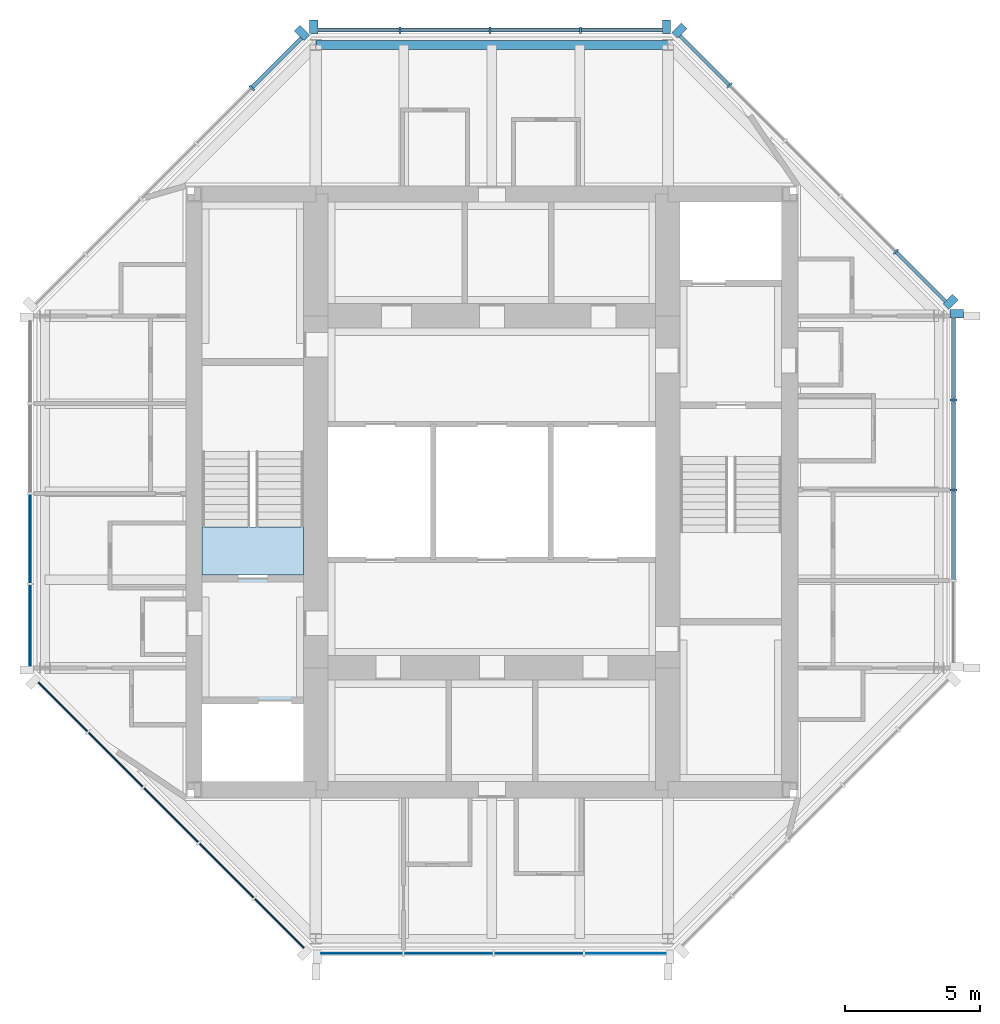
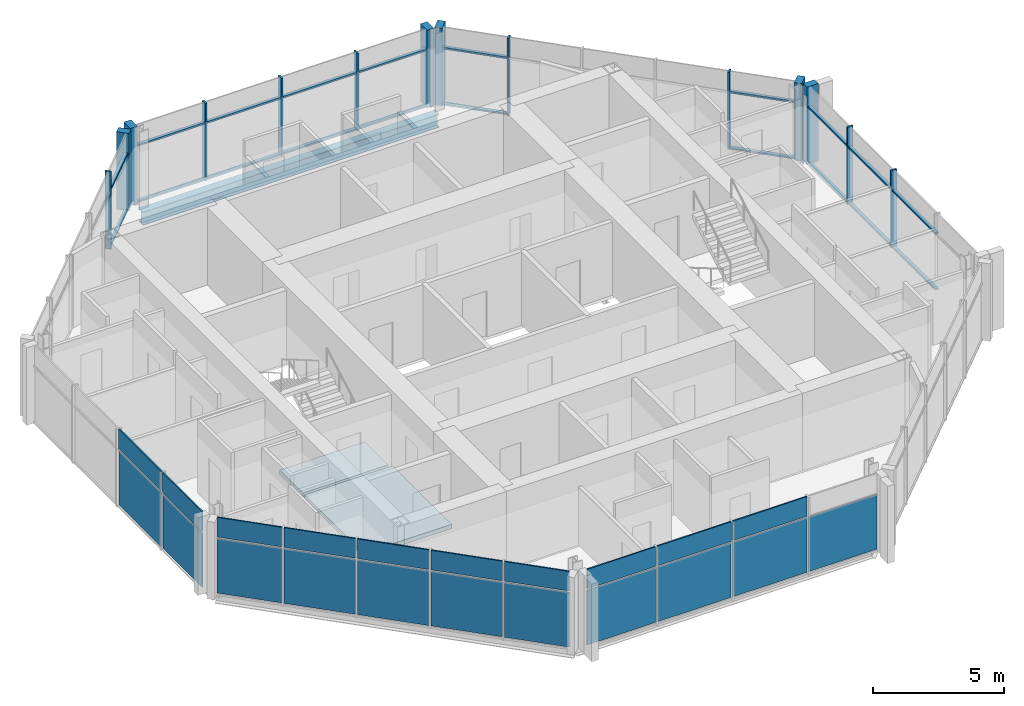
# One storey, part 3 of 9: 34 members, 21 plates, 2 slabs, 1 beam, 8 elements without a shape of their own.
"""IFC4 building model written with IfcOpenShell, lengths in metres."""

from ifc_helpers import new_model, si_unit, direction, frame, origin, origin_2d, place, context, subcontext, project, spatial, polyline, rectangle, i_section, outline, extrude, material, layer, layer_set, material_profile, profile_set, type_object, element, aggregate, save


model = new_model("IFC4")

# Units and contexts
model_context = context("Model", 3, precision=1e-05, world=origin(), true_north=direction((0.0, 1.0)))
body_context = subcontext(model_context, "Body", "Model", "MODEL_VIEW")
ifc_project = project(units=[si_unit("LENGTHUNIT", "METRE"), si_unit("AREAUNIT", "SQUARE_METRE"), si_unit("VOLUMEUNIT", "CUBIC_METRE"), si_unit("PLANEANGLEUNIT", "RADIAN"), si_unit("MASSUNIT", "GRAM", prefix="KILO")], contexts=[model_context])

# Site, building, storey
site_placement = place(None, origin())
site = spatial("IfcSite", under=ifc_project, at=site_placement, CompositionType="ELEMENT")
building_placement = place(site_placement, origin())
building = spatial("IfcBuilding", under=site, at=building_placement, Name="Trevanion Tower", CompositionType="ELEMENT")
storey_placement = place(building_placement, frame((0.0, 0.0, 292.0)))
storey = spatial("IfcBuildingStorey", under=building, at=storey_placement, Name="L72", CompositionType="ELEMENT", Elevation=292.0)

# Curtain wall, members
ifc_material_1 = material(Name="Aluminium and glass", Category="aluminium")
curtain_wall_type = type_object("IfcCurtainWallType", Name="CW4 curtain wall", PredefinedType="USERDEFINED", material=ifc_material_1)
curtain_wall_1_placement = place(storey_placement, origin())
curtain_wall_1 = element("IfcCurtainWall", 1, at=curtain_wall_1_placement, inside=storey, type_object=curtain_wall_type, Name="CW4 L72 0", ObjectType="UNITISED CURTAIN WALL", PredefinedType="USERDEFINED")
ifc_material_2 = material(Name="Aluminium extrusion, anodised bronze", Category="aluminium")
ifc_material_profile_1 = material_profile(ifc_material_2, rectangle(XDim=0.074951171875, YDim=0.25, at=origin_2d()), Name="CW4 mullion")
ifc_profile_set_1 = profile_set([ifc_material_profile_1], Name="Aluminium extrusion, anodised bronze")
member_type_1 = type_object("IfcMemberType", Name="CW4 mullion", PredefinedType="MULLION", material=ifc_profile_set_1)
member_1_placement = place(storey_placement, frame((17.050048828125, 0.06494140625, -0.18994140625), z_axis=(0.0, 0.0, 1.0), x_axis=(0.0, 1.0, 0.0)))
member_1 = element("IfcMember", 2, at=member_1_placement, type_object=member_type_1, Name="CW4 mullion 3", PredefinedType="MULLION", context=body_context, shape_type="SweptSolid", body=[
    extrude(rectangle(XDim=0.074951171875, YDim=0.25, at=origin_2d()), origin(), (0.0, 0.0, 1.0), 3.599853515625),
])
member_2_placement = place(storey_placement, frame((17.050048828125, 3.396484375, -0.18994140625), z_axis=(0.0, 0.0, 1.0), x_axis=(0.0, 1.0, 0.0)))
member_2 = element("IfcMember", 3, at=member_2_placement, type_object=member_type_1, Name="CW4 mullion 4", PredefinedType="MULLION", context=body_context, shape_type="SweptSolid", body=[
    extrude(rectangle(XDim=0.074951171875, YDim=0.25, at=origin_2d()), origin(), (0.0, 0.0, 1.0), 3.599853515625),
])

curtain_wall_2_placement = place(storey_placement, origin())
curtain_wall_2 = element("IfcCurtainWall", 4, at=curtain_wall_2_placement, inside=storey, type_object=curtain_wall_type, Name="CW4 L72 1", ObjectType="UNITISED CURTAIN WALL", PredefinedType="USERDEFINED")
member_3_placement = place(storey_placement, frame((14.912109375, 8.86572265625, -0.18994140625), z_axis=(0.0, 0.0, 1.0), x_axis=(-0.707106781187, 0.707106781187, 0.0)))
member_3 = element("IfcMember", 5, at=member_3_placement, type_object=member_type_1, Name="CW4 mullion 2", PredefinedType="MULLION", context=body_context, shape_type="SweptSolid", body=[
    extrude(rectangle(XDim=0.074951171875, YDim=0.25, at=origin_2d()), origin(), (0.0, 0.0, 1.0), 3.599853515625),
])
member_4_placement = place(storey_placement, frame((8.77392578125, 15.00390625, -0.18994140625), z_axis=(0.0, 0.0, 1.0), x_axis=(-0.707106781187, 0.707106781187, 0.0)))
member_4 = element("IfcMember", 6, at=member_4_placement, type_object=member_type_1, Name="CW4 mullion 5", PredefinedType="MULLION", context=body_context, shape_type="SweptSolid", body=[
    extrude(rectangle(XDim=0.074951171875, YDim=0.25, at=origin_2d()), origin(), (0.0, 0.0, 1.0), 3.599853515625),
])

curtain_wall_3_placement = place(storey_placement, origin())
curtain_wall_3 = element("IfcCurtainWall", 7, at=curtain_wall_3_placement, inside=storey, type_object=curtain_wall_type, Name="CW4 L72 2", ObjectType="UNITISED CURTAIN WALL", PredefinedType="USERDEFINED")
member_5_placement = place(storey_placement, frame((3.266357421875, 17.050048828125, -0.18994140625), z_axis=(0.0, 0.0, 1.0), x_axis=(-1.0, 0.0, 0.0)))
member_5 = element("IfcMember", 8, at=member_5_placement, type_object=member_type_1, Name="CW4 mullion 2", PredefinedType="MULLION", context=body_context, shape_type="SweptSolid", body=[
    extrude(rectangle(XDim=0.074951171875, YDim=0.25, at=origin_2d()), origin(), (0.0, 0.0, 1.0), 3.599853515625),
])
member_6_placement = place(storey_placement, frame((-0.06494140625, 17.050048828125, -0.18994140625), z_axis=(0.0, 0.0, 1.0), x_axis=(-1.0, 0.0, 0.0)))
member_6 = element("IfcMember", 9, at=member_6_placement, type_object=member_type_1, Name="CW4 mullion 3", PredefinedType="MULLION", context=body_context, shape_type="SweptSolid", body=[
    extrude(rectangle(XDim=0.074951171875, YDim=0.25, at=origin_2d()), origin(), (0.0, 0.0, 1.0), 3.599853515625),
])
member_7_placement = place(storey_placement, frame((-3.396484375, 17.050048828125, -0.18994140625), z_axis=(0.0, 0.0, 1.0), x_axis=(-1.0, 0.0, 0.0)))
member_7 = element("IfcMember", 10, at=member_7_placement, type_object=member_type_1, Name="CW4 mullion 4", PredefinedType="MULLION", context=body_context, shape_type="SweptSolid", body=[
    extrude(rectangle(XDim=0.074951171875, YDim=0.25, at=origin_2d()), origin(), (0.0, 0.0, 1.0), 3.599853515625),
])

# Curtain wall, member
curtain_wall_4_placement = place(storey_placement, origin())
curtain_wall_4 = element("IfcCurtainWall", 11, at=curtain_wall_4_placement, inside=storey, type_object=curtain_wall_type, Name="CW4 L72 3", ObjectType="UNITISED CURTAIN WALL", PredefinedType="USERDEFINED")
member_8_placement = place(storey_placement, frame((-8.86572265625, 14.912109375, -0.18994140625), z_axis=(0.0, 0.0, 1.0), x_axis=(-0.707106781187, -0.707106781187, 0.0)))
member_8 = element("IfcMember", 12, at=member_8_placement, type_object=member_type_1, Name="CW4 mullion 2", PredefinedType="MULLION", context=body_context, shape_type="SweptSolid", body=[
    extrude(rectangle(XDim=0.074951171875, YDim=0.25, at=origin_2d()), origin(), (0.0, 0.0, 1.0), 3.599853515625),
])

# Member
ifc_material_3 = material(Name="Aluminium extrusion, anodised bronze", Category="aluminium")
ifc_material_profile_2 = material_profile(ifc_material_3, rectangle(XDim=0.300048828125, YDim=0.5, at=origin_2d()), Name="CW4 pier mullion")
ifc_profile_set_2 = profile_set([ifc_material_profile_2], Name="Aluminium extrusion, anodised bronze")
member_type_2 = type_object("IfcMemberType", Name="CW4 pier mullion", PredefinedType="MULLION", material=ifc_profile_set_2)
member_9_placement = place(storey_placement, frame((17.175048828125, 6.577880859375, -0.18994140625), z_axis=(0.0, 0.0, 1.0), x_axis=(0.0, 1.0, 0.0)))
member_9 = element("IfcMember", 13, at=member_9_placement, type_object=member_type_2, Name="CW4 pier mullion 5", PredefinedType="MULLION", context=body_context, shape_type="SweptSolid", body=[
    extrude(rectangle(XDim=0.300048828125, YDim=0.5, at=origin_2d()), origin(), (0.0, 0.0, 1.0), 3.599853515625),
])

member_10_placement = place(storey_placement, frame((16.9404296875, 7.01416015625, -0.18994140625), z_axis=(0.0, 0.0, 1.0), x_axis=(-0.707106781187, 0.707106781187, 0.0)))
member_10 = element("IfcMember", 14, at=member_10_placement, type_object=member_type_2, Name="CW4 pier mullion 1", PredefinedType="MULLION", context=body_context, shape_type="SweptSolid", body=[
    extrude(rectangle(XDim=0.300048828125, YDim=0.5, at=origin_2d()), origin(), (0.0, 0.0, 1.0), 3.599853515625),
])

member_11_placement = place(storey_placement, frame((6.92236328125, 17.0322265625, -0.18994140625), z_axis=(0.0, 0.0, 1.0), x_axis=(-0.707106781187, 0.707106781187, 0.0)))
member_11 = element("IfcMember", 15, at=member_11_placement, type_object=member_type_2, Name="CW4 pier mullion 6", PredefinedType="MULLION", context=body_context, shape_type="SweptSolid", body=[
    extrude(rectangle(XDim=0.300048828125, YDim=0.5, at=origin_2d()), origin(), (0.0, 0.0, 1.0), 3.599853515625),
])

member_12_placement = place(storey_placement, frame((6.44775390625, 17.175048828125, -0.18994140625), z_axis=(0.0, 0.0, 1.0), x_axis=(-1.0, 0.0, 0.0)))
member_12 = element("IfcMember", 16, at=member_12_placement, type_object=member_type_2, Name="CW4 pier mullion 1", PredefinedType="MULLION", context=body_context, shape_type="SweptSolid", body=[
    extrude(rectangle(XDim=0.300048828125, YDim=0.5, at=origin_2d()), origin(), (0.0, 0.0, 1.0), 3.599853515625),
])

member_13_placement = place(storey_placement, frame((-6.577880859375, 17.175048828125, -0.18994140625), z_axis=(0.0, 0.0, 1.0), x_axis=(-1.0, 0.0, 0.0)))
member_13 = element("IfcMember", 17, at=member_13_placement, type_object=member_type_2, Name="CW4 pier mullion 5", PredefinedType="MULLION", context=body_context, shape_type="SweptSolid", body=[
    extrude(rectangle(XDim=0.300048828125, YDim=0.5, at=origin_2d()), origin(), (0.0, 0.0, 1.0), 3.599853515625),
])

member_14_placement = place(storey_placement, frame((-7.01416015625, 16.9404296875, -0.18994140625), z_axis=(0.0, 0.0, 1.0), x_axis=(-0.707106781187, -0.707106781187, 0.0)))
member_14 = element("IfcMember", 18, at=member_14_placement, type_object=member_type_2, Name="CW4 pier mullion 1", PredefinedType="MULLION", context=body_context, shape_type="SweptSolid", body=[
    extrude(rectangle(XDim=0.300048828125, YDim=0.5, at=origin_2d()), origin(), (0.0, 0.0, 1.0), 3.599853515625),
])

ifc_material_4 = material(Name="Aluminium extrusion, anodised bronze", Category="aluminium")
ifc_material_profile_3 = material_profile(ifc_material_4, rectangle(XDim=0.14990234375, YDim=0.074951171875, at=origin_2d()), Name="CW4 transom")
ifc_profile_set_3 = profile_set([ifc_material_profile_3], Name="Aluminium extrusion, anodised bronze")
member_type_3 = type_object("IfcMemberType", Name="CW4 transom", PredefinedType="USERDEFINED", material=ifc_profile_set_3)
member_15_placement = place(storey_placement, frame((17.050048828125, -3.22900390625, -0.152587890625), z_axis=(0.0, 1.0, 0.0), x_axis=(-1.0, 0.0, 0.0)))
member_15 = element("IfcMember", 19, at=member_15_placement, type_object=member_type_3, Name="CW4 transom 2.1", ObjectType="TRANSOM", PredefinedType="USERDEFINED", context=body_context, shape_type="SweptSolid", body=[
    extrude(rectangle(XDim=0.14990234375, YDim=0.074951171875, at=origin_2d()), origin(), (0.0, 0.0, 1.0), 3.256591796875),
])

member_16_placement = place(storey_placement, frame((17.050048828125, -3.22900390625, 2.4599609375), z_axis=(0.0, 1.0, 0.0), x_axis=(-1.0, 0.0, 0.0)))
member_16 = element("IfcMember", 20, at=member_16_placement, type_object=member_type_3, Name="CW4 transom 2.2", ObjectType="TRANSOM", PredefinedType="USERDEFINED", context=body_context, shape_type="SweptSolid", body=[
    extrude(rectangle(XDim=0.14990234375, YDim=0.074951171875, at=origin_2d()), origin(), (0.0, 0.0, 1.0), 3.256591796875),
])

member_17_placement = place(storey_placement, frame((17.050048828125, 0.1025390625, -0.152587890625), z_axis=(0.0, 1.0, 0.0), x_axis=(-1.0, 0.0, 0.0)))
member_17 = element("IfcMember", 21, at=member_17_placement, type_object=member_type_3, Name="CW4 transom 3.1", ObjectType="TRANSOM", PredefinedType="USERDEFINED", context=body_context, shape_type="SweptSolid", body=[
    extrude(rectangle(XDim=0.14990234375, YDim=0.074951171875, at=origin_2d()), origin(), (0.0, 0.0, 1.0), 3.25634765625),
])

member_18_placement = place(storey_placement, frame((17.050048828125, 0.1025390625, 2.4599609375), z_axis=(0.0, 1.0, 0.0), x_axis=(-1.0, 0.0, 0.0)))
member_18 = element("IfcMember", 22, at=member_18_placement, type_object=member_type_3, Name="CW4 transom 3.2", ObjectType="TRANSOM", PredefinedType="USERDEFINED", context=body_context, shape_type="SweptSolid", body=[
    extrude(rectangle(XDim=0.14990234375, YDim=0.074951171875, at=origin_2d()), origin(), (0.0, 0.0, 1.0), 3.25634765625),
])

member_19_placement = place(storey_placement, frame((17.050048828125, 3.433837890625, -0.152587890625), z_axis=(0.0, 1.0, 0.0), x_axis=(-1.0, 0.0, 0.0)))
member_19 = element("IfcMember", 23, at=member_19_placement, type_object=member_type_3, Name="CW4 transom 4.1", ObjectType="TRANSOM", PredefinedType="USERDEFINED", context=body_context, shape_type="SweptSolid", body=[
    extrude(rectangle(XDim=0.14990234375, YDim=0.074951171875, at=origin_2d()), origin(), (0.0, 0.0, 1.0), 2.993896484375),
])

member_20_placement = place(storey_placement, frame((17.050048828125, 3.433837890625, 2.4599609375), z_axis=(0.0, 1.0, 0.0), x_axis=(-1.0, 0.0, 0.0)))
member_20 = element("IfcMember", 24, at=member_20_placement, type_object=member_type_3, Name="CW4 transom 4.2", ObjectType="TRANSOM", PredefinedType="USERDEFINED", context=body_context, shape_type="SweptSolid", body=[
    extrude(rectangle(XDim=0.14990234375, YDim=0.074951171875, at=origin_2d()), origin(), (0.0, 0.0, 1.0), 2.993896484375),
])

aggregate(curtain_wall_1, [member_1, member_2, member_9, member_15, member_16, member_17, member_18, member_19, member_20])

member_21_placement = place(storey_placement, frame((16.745849609375, 7.031982421875, -0.152587890625), z_axis=(-0.707106781187, 0.707106781187, 0.0), x_axis=(-0.707106781187, -0.707106781187, 0.0)))
member_21 = element("IfcMember", 25, at=member_21_placement, type_object=member_type_3, Name="CW4 transom 1.1", ObjectType="TRANSOM", PredefinedType="USERDEFINED", context=body_context, shape_type="SweptSolid", body=[
    extrude(rectangle(XDim=0.14990234375, YDim=0.074951171875, at=origin_2d()), origin(), (0.0, 0.0, 1.0), 2.555908203125),
])

member_22_placement = place(storey_placement, frame((16.745849609375, 7.031982421875, 2.4599609375), z_axis=(-0.707106781187, 0.707106781187, 0.0), x_axis=(-0.707106781187, -0.707106781187, 0.0)))
member_22 = element("IfcMember", 26, at=member_22_placement, type_object=member_type_3, Name="CW4 transom 1.2", ObjectType="TRANSOM", PredefinedType="USERDEFINED", context=body_context, shape_type="SweptSolid", body=[
    extrude(rectangle(XDim=0.14990234375, YDim=0.074951171875, at=origin_2d()), origin(), (0.0, 0.0, 1.0), 2.555908203125),
])

member_23_placement = place(storey_placement, frame((8.747314453125, 15.030517578125, -0.152587890625), z_axis=(-0.707106781187, 0.707106781187, 0.0), x_axis=(-0.707106781187, -0.707106781187, 0.0)))
member_23 = element("IfcMember", 27, at=member_23_placement, type_object=member_type_3, Name="CW4 transom 5.1", ObjectType="TRANSOM", PredefinedType="USERDEFINED", context=body_context, shape_type="SweptSolid", body=[
    extrude(rectangle(XDim=0.14990234375, YDim=0.074951171875, at=origin_2d()), origin(), (0.0, 0.0, 1.0), 2.555908203125),
])

member_24_placement = place(storey_placement, frame((8.747314453125, 15.030517578125, 2.4599609375), z_axis=(-0.707106781187, 0.707106781187, 0.0), x_axis=(-0.707106781187, -0.707106781187, 0.0)))
member_24 = element("IfcMember", 28, at=member_24_placement, type_object=member_type_3, Name="CW4 transom 5.2", ObjectType="TRANSOM", PredefinedType="USERDEFINED", context=body_context, shape_type="SweptSolid", body=[
    extrude(rectangle(XDim=0.14990234375, YDim=0.074951171875, at=origin_2d()), origin(), (0.0, 0.0, 1.0), 2.555908203125),
])

aggregate(curtain_wall_2, [member_10, member_3, member_4, member_11, member_21, member_22, member_23, member_24])

member_25_placement = place(storey_placement, frame((6.2978515625, 17.050048828125, -0.152587890625), z_axis=(-1.0, 0.0, 0.0), x_axis=(0.0, -1.0, 0.0)))
member_25 = element("IfcMember", 29, at=member_25_placement, type_object=member_type_3, Name="CW4 transom 1.1", ObjectType="TRANSOM", PredefinedType="USERDEFINED", context=body_context, shape_type="SweptSolid", body=[
    extrude(rectangle(XDim=0.14990234375, YDim=0.074951171875, at=origin_2d()), origin(), (0.0, 0.0, 1.0), 2.993896484375),
])

member_26_placement = place(storey_placement, frame((6.2978515625, 17.050048828125, 2.4599609375), z_axis=(-1.0, 0.0, 0.0), x_axis=(0.0, -1.0, 0.0)))
member_26 = element("IfcMember", 30, at=member_26_placement, type_object=member_type_3, Name="CW4 transom 1.2", ObjectType="TRANSOM", PredefinedType="USERDEFINED", context=body_context, shape_type="SweptSolid", body=[
    extrude(rectangle(XDim=0.14990234375, YDim=0.074951171875, at=origin_2d()), origin(), (0.0, 0.0, 1.0), 2.993896484375),
])

member_27_placement = place(storey_placement, frame((3.22900390625, 17.050048828125, -0.152587890625), z_axis=(-1.0, 0.0, 0.0), x_axis=(0.0, -1.0, 0.0)))
member_27 = element("IfcMember", 31, at=member_27_placement, type_object=member_type_3, Name="CW4 transom 2.1", ObjectType="TRANSOM", PredefinedType="USERDEFINED", context=body_context, shape_type="SweptSolid", body=[
    extrude(rectangle(XDim=0.14990234375, YDim=0.074951171875, at=origin_2d()), origin(), (0.0, 0.0, 1.0), 3.256591796875),
])

member_28_placement = place(storey_placement, frame((3.22900390625, 17.050048828125, 2.4599609375), z_axis=(-1.0, 0.0, 0.0), x_axis=(0.0, -1.0, 0.0)))
member_28 = element("IfcMember", 32, at=member_28_placement, type_object=member_type_3, Name="CW4 transom 2.2", ObjectType="TRANSOM", PredefinedType="USERDEFINED", context=body_context, shape_type="SweptSolid", body=[
    extrude(rectangle(XDim=0.14990234375, YDim=0.074951171875, at=origin_2d()), origin(), (0.0, 0.0, 1.0), 3.256591796875),
])

member_29_placement = place(storey_placement, frame((-0.1025390625, 17.050048828125, -0.152587890625), z_axis=(-1.0, 0.0, 0.0), x_axis=(0.0, -1.0, 0.0)))
member_29 = element("IfcMember", 33, at=member_29_placement, type_object=member_type_3, Name="CW4 transom 3.1", ObjectType="TRANSOM", PredefinedType="USERDEFINED", context=body_context, shape_type="SweptSolid", body=[
    extrude(rectangle(XDim=0.14990234375, YDim=0.074951171875, at=origin_2d()), origin(), (0.0, 0.0, 1.0), 3.25634765625),
])

member_30_placement = place(storey_placement, frame((-0.1025390625, 17.050048828125, 2.4599609375), z_axis=(-1.0, 0.0, 0.0), x_axis=(0.0, -1.0, 0.0)))
member_30 = element("IfcMember", 34, at=member_30_placement, type_object=member_type_3, Name="CW4 transom 3.2", ObjectType="TRANSOM", PredefinedType="USERDEFINED", context=body_context, shape_type="SweptSolid", body=[
    extrude(rectangle(XDim=0.14990234375, YDim=0.074951171875, at=origin_2d()), origin(), (0.0, 0.0, 1.0), 3.25634765625),
])

member_31_placement = place(storey_placement, frame((-3.433837890625, 17.050048828125, -0.152587890625), z_axis=(-1.0, 0.0, 0.0), x_axis=(0.0, -1.0, 0.0)))
member_31 = element("IfcMember", 35, at=member_31_placement, type_object=member_type_3, Name="CW4 transom 4.1", ObjectType="TRANSOM", PredefinedType="USERDEFINED", context=body_context, shape_type="SweptSolid", body=[
    extrude(rectangle(XDim=0.14990234375, YDim=0.074951171875, at=origin_2d()), origin(), (0.0, 0.0, 1.0), 2.993896484375),
])

member_32_placement = place(storey_placement, frame((-3.433837890625, 17.050048828125, 2.4599609375), z_axis=(-1.0, 0.0, 0.0), x_axis=(0.0, -1.0, 0.0)))
member_32 = element("IfcMember", 36, at=member_32_placement, type_object=member_type_3, Name="CW4 transom 4.2", ObjectType="TRANSOM", PredefinedType="USERDEFINED", context=body_context, shape_type="SweptSolid", body=[
    extrude(rectangle(XDim=0.14990234375, YDim=0.074951171875, at=origin_2d()), origin(), (0.0, 0.0, 1.0), 2.993896484375),
])

aggregate(curtain_wall_3, [member_12, member_5, member_6, member_7, member_13, member_25, member_26, member_27, member_28, member_29, member_30, member_31, member_32])

member_33_placement = place(storey_placement, frame((-7.031982421875, 16.745849609375, -0.152587890625), z_axis=(-0.707106781187, -0.707106781187, 0.0), x_axis=(0.707106781187, -0.707106781187, 0.0)))
member_33 = element("IfcMember", 37, at=member_33_placement, type_object=member_type_3, Name="CW4 transom 1.1", ObjectType="TRANSOM", PredefinedType="USERDEFINED", context=body_context, shape_type="SweptSolid", body=[
    extrude(rectangle(XDim=0.14990234375, YDim=0.074951171875, at=origin_2d()), origin(), (0.0, 0.0, 1.0), 2.555908203125),
])

member_34_placement = place(storey_placement, frame((-7.031982421875, 16.745849609375, 2.4599609375), z_axis=(-0.707106781187, -0.707106781187, 0.0), x_axis=(0.707106781187, -0.707106781187, 0.0)))
member_34 = element("IfcMember", 38, at=member_34_placement, type_object=member_type_3, Name="CW4 transom 1.2", ObjectType="TRANSOM", PredefinedType="USERDEFINED", context=body_context, shape_type="SweptSolid", body=[
    extrude(rectangle(XDim=0.14990234375, YDim=0.074951171875, at=origin_2d()), origin(), (0.0, 0.0, 1.0), 2.555908203125),
])

aggregate(curtain_wall_4, [member_14, member_8, member_33, member_34])

# Beam
ifc_material_5 = material(Name="Steel ASTM A992 Grade 50", Category="steel")
ifc_material_profile_4 = material_profile(ifc_material_5, i_section(OverallWidth=0.32763671875, OverallDepth=0.622314453125, WebThickness=0.015380859375, FlangeThickness=0.0244140625, at=origin_2d()), Name="W24X131")
ifc_profile_set_4 = profile_set([ifc_material_profile_4], Name="Steel ASTM A992 Grade 50")
beam_type = type_object("IfcBeamType", Name="SB12 W24X131", PredefinedType="SPANDREL", material=ifc_profile_set_4)
beam_placement = place(storey_placement, frame((6.5, 16.5, -0.501220703125), z_axis=(-1.0, 0.0, 0.0), x_axis=(0.0, -1.0, 0.0)))
element("IfcBeam", 39, at=beam_placement, inside=storey, type_object=beam_type, Name="SB12 L72", PredefinedType="SPANDREL", context=body_context, shape_type="SweptSolid", body=[
    extrude(i_section(OverallWidth=0.32763671875, OverallDepth=0.622314453125, WebThickness=0.015380859375, FlangeThickness=0.0244140625, at=origin_2d()), origin(), (0.0, 0.0, 1.0), 13.0),
])

# Curtain wall, plates
curtain_wall_5_placement = place(storey_placement, origin())
curtain_wall_5 = element("IfcCurtainWall", 40, at=curtain_wall_5_placement, inside=storey, type_object=curtain_wall_type, Name="CW4 L72 4", ObjectType="UNITISED CURTAIN WALL", PredefinedType="USERDEFINED")
ifc_material_6 = material(Name="Aluminium spandrel panel", Category="aluminium")
ifc_layer_1 = layer(ifc_material_6, 0.06005859375)
ifc_layer_set_1 = layer_set([ifc_layer_1], Name="CW4 spandrel panel")
plate_type_1 = type_object("IfcPlateType", Name="CW4 spandrel panel", PredefinedType="CURTAIN_PANEL", material=ifc_layer_set_1)
plate_1_placement = place(storey_placement, frame((-17.050048828125, -1.730712890625, 2.49755859375), z_axis=(0.0, 0.0, 1.0), x_axis=(0.0, -1.0, 0.0)))
plate_1 = element("IfcPlate", 41, at=plate_1_placement, type_object=plate_type_1, Name="CW4 panel 3.2", PredefinedType="CURTAIN_PANEL", context=body_context, shape_type="SweptSolid", body=[
    extrude(rectangle(XDim=3.25634765625, YDim=0.06005859375, at=origin_2d()), origin(), (0.0, 0.0, 1.0), 0.91259765625),
])
plate_2_placement = place(storey_placement, frame((-17.050048828125, -4.930908203125, 2.49755859375), z_axis=(0.0, 0.0, 1.0), x_axis=(0.0, -1.0, 0.0)))
plate_2 = element("IfcPlate", 42, at=plate_2_placement, type_object=plate_type_1, Name="CW4 panel 4.2", PredefinedType="CURTAIN_PANEL", context=body_context, shape_type="SweptSolid", body=[
    extrude(rectangle(XDim=2.993896484375, YDim=0.06005859375, at=origin_2d()), origin(), (0.0, 0.0, 1.0), 0.91259765625),
])

curtain_wall_6_placement = place(storey_placement, origin())
curtain_wall_6 = element("IfcCurtainWall", 43, at=curtain_wall_6_placement, inside=storey, type_object=curtain_wall_type, Name="CW4 L72 5", ObjectType="UNITISED CURTAIN WALL", PredefinedType="USERDEFINED")
plate_3_placement = place(storey_placement, frame((-15.84228515625, -7.935546875, 2.49755859375), z_axis=(0.0, 0.0, 1.0), x_axis=(0.707106781187, -0.707106781187, 0.0)))
plate_3 = element("IfcPlate", 44, at=plate_3_placement, type_object=plate_type_1, Name="CW4 panel 1.2", PredefinedType="CURTAIN_PANEL", context=body_context, shape_type="SweptSolid", body=[
    extrude(rectangle(XDim=2.55615234375, YDim=0.06005859375, at=origin_2d()), origin(), (0.0, 0.0, 1.0), 0.91259765625),
])
plate_4_placement = place(storey_placement, frame((-13.888916015625, -9.888916015625, 2.49755859375), z_axis=(0.0, 0.0, 1.0), x_axis=(0.707106781187, -0.707106781187, 0.0)))
plate_4 = element("IfcPlate", 45, at=plate_4_placement, type_object=plate_type_1, Name="CW4 panel 2.2", PredefinedType="CURTAIN_PANEL", context=body_context, shape_type="SweptSolid", body=[
    extrude(rectangle(XDim=2.818603515625, YDim=0.06005859375, at=origin_2d()), origin(), (0.0, 0.0, 1.0), 0.91259765625),
])
plate_5_placement = place(storey_placement, frame((-11.843017578125, -11.934814453125, 2.49755859375), z_axis=(0.0, 0.0, 1.0), x_axis=(0.707106781187, -0.707106781187, 0.0)))
plate_5 = element("IfcPlate", 46, at=plate_5_placement, type_object=plate_type_1, Name="CW4 panel 3.2", PredefinedType="CURTAIN_PANEL", context=body_context, shape_type="SweptSolid", body=[
    extrude(rectangle(XDim=2.818603515625, YDim=0.06005859375, at=origin_2d()), origin(), (0.0, 0.0, 1.0), 0.91259765625),
])
plate_6_placement = place(storey_placement, frame((-9.796875, -13.98095703125, 2.49755859375), z_axis=(0.0, 0.0, 1.0), x_axis=(0.707106781187, -0.707106781187, 0.0)))
plate_6 = element("IfcPlate", 47, at=plate_6_placement, type_object=plate_type_1, Name="CW4 panel 4.2", PredefinedType="CURTAIN_PANEL", context=body_context, shape_type="SweptSolid", body=[
    extrude(rectangle(XDim=2.818603515625, YDim=0.06005859375, at=origin_2d()), origin(), (0.0, 0.0, 1.0), 0.91259765625),
])
plate_7_placement = place(storey_placement, frame((-7.84375, -15.93408203125, 2.49755859375), z_axis=(0.0, 0.0, 1.0), x_axis=(0.707106781187, -0.707106781187, 0.0)))
plate_7 = element("IfcPlate", 48, at=plate_7_placement, type_object=plate_type_1, Name="CW4 panel 5.2", PredefinedType="CURTAIN_PANEL", context=body_context, shape_type="SweptSolid", body=[
    extrude(rectangle(XDim=2.55615234375, YDim=0.06005859375, at=origin_2d()), origin(), (0.0, 0.0, 1.0), 0.91259765625),
])

curtain_wall_7_placement = place(storey_placement, origin())
curtain_wall_7 = element("IfcCurtainWall", 49, at=curtain_wall_7_placement, inside=storey, type_object=curtain_wall_type, Name="CW4 L72 6", ObjectType="UNITISED CURTAIN WALL", PredefinedType="USERDEFINED")
plate_8_placement = place(storey_placement, frame((-4.80078125, -17.050048828125, 2.49755859375), z_axis=(0.0, 0.0, 1.0), x_axis=(1.0, 0.0, 0.0)))
plate_8 = element("IfcPlate", 50, at=plate_8_placement, type_object=plate_type_1, Name="CW4 panel 1.2", PredefinedType="CURTAIN_PANEL", context=body_context, shape_type="SweptSolid", body=[
    extrude(rectangle(XDim=2.993896484375, YDim=0.06005859375, at=origin_2d()), origin(), (0.0, 0.0, 1.0), 0.91259765625),
])
plate_9_placement = place(storey_placement, frame((-1.6005859375, -17.050048828125, 2.49755859375), z_axis=(0.0, 0.0, 1.0), x_axis=(1.0, 0.0, 0.0)))
plate_9 = element("IfcPlate", 51, at=plate_9_placement, type_object=plate_type_1, Name="CW4 panel 2.2", PredefinedType="CURTAIN_PANEL", context=body_context, shape_type="SweptSolid", body=[
    extrude(rectangle(XDim=3.25634765625, YDim=0.06005859375, at=origin_2d()), origin(), (0.0, 0.0, 1.0), 0.91259765625),
])
plate_10_placement = place(storey_placement, frame((1.730712890625, -17.050048828125, 2.49755859375), z_axis=(0.0, 0.0, 1.0), x_axis=(1.0, 0.0, 0.0)))
plate_10 = element("IfcPlate", 52, at=plate_10_placement, type_object=plate_type_1, Name="CW4 panel 3.2", PredefinedType="CURTAIN_PANEL", context=body_context, shape_type="SweptSolid", body=[
    extrude(rectangle(XDim=3.25634765625, YDim=0.06005859375, at=origin_2d()), origin(), (0.0, 0.0, 1.0), 0.91259765625),
])

# Plate
ifc_material_7 = material(Name="Insulating glass unit", Category="glass")
ifc_layer_2 = layer(ifc_material_7, 0.028076171875)
ifc_layer_set_2 = layer_set([ifc_layer_2], Name="CW4 vision panel")
plate_type_2 = type_object("IfcPlateType", Name="CW4 vision panel", PredefinedType="CURTAIN_PANEL", material=ifc_layer_set_2)
plate_11_placement = place(storey_placement, frame((-17.050048828125, -1.730712890625, -0.114990234375), z_axis=(0.0, 0.0, 1.0), x_axis=(0.0, -1.0, 0.0)))
plate_11 = element("IfcPlate", 53, at=plate_11_placement, type_object=plate_type_2, Name="CW4 panel 3.1", PredefinedType="CURTAIN_PANEL", context=body_context, shape_type="SweptSolid", body=[
    extrude(rectangle(XDim=3.25634765625, YDim=0.028076171875, at=origin_2d()), origin(), (0.0, 0.0, 1.0), 2.53759765625),
])

plate_12_placement = place(storey_placement, frame((-17.050048828125, -4.930908203125, -0.114990234375), z_axis=(0.0, 0.0, 1.0), x_axis=(0.0, -1.0, 0.0)))
plate_12 = element("IfcPlate", 54, at=plate_12_placement, type_object=plate_type_2, Name="CW4 panel 4.1", PredefinedType="CURTAIN_PANEL", context=body_context, shape_type="SweptSolid", body=[
    extrude(rectangle(XDim=2.993896484375, YDim=0.028076171875, at=origin_2d()), origin(), (0.0, 0.0, 1.0), 2.53759765625),
])

aggregate(curtain_wall_5, [plate_11, plate_1, plate_12, plate_2])

plate_13_placement = place(storey_placement, frame((-15.84228515625, -7.935546875, -0.114990234375), z_axis=(0.0, 0.0, 1.0), x_axis=(0.707106781187, -0.707106781187, 0.0)))
plate_13 = element("IfcPlate", 55, at=plate_13_placement, type_object=plate_type_2, Name="CW4 panel 1.1", PredefinedType="CURTAIN_PANEL", context=body_context, shape_type="SweptSolid", body=[
    extrude(rectangle(XDim=2.55615234375, YDim=0.028076171875, at=origin_2d()), origin(), (0.0, 0.0, 1.0), 2.53759765625),
])

plate_14_placement = place(storey_placement, frame((-13.888916015625, -9.888916015625, -0.114990234375), z_axis=(0.0, 0.0, 1.0), x_axis=(0.707106781187, -0.707106781187, 0.0)))
plate_14 = element("IfcPlate", 56, at=plate_14_placement, type_object=plate_type_2, Name="CW4 panel 2.1", PredefinedType="CURTAIN_PANEL", context=body_context, shape_type="SweptSolid", body=[
    extrude(rectangle(XDim=2.818603515625, YDim=0.028076171875, at=origin_2d()), origin(), (0.0, 0.0, 1.0), 2.53759765625),
])

plate_15_placement = place(storey_placement, frame((-11.843017578125, -11.934814453125, -0.114990234375), z_axis=(0.0, 0.0, 1.0), x_axis=(0.707106781187, -0.707106781187, 0.0)))
plate_15 = element("IfcPlate", 57, at=plate_15_placement, type_object=plate_type_2, Name="CW4 panel 3.1", PredefinedType="CURTAIN_PANEL", context=body_context, shape_type="SweptSolid", body=[
    extrude(rectangle(XDim=2.818603515625, YDim=0.028076171875, at=origin_2d()), origin(), (0.0, 0.0, 1.0), 2.53759765625),
])

plate_16_placement = place(storey_placement, frame((-9.796875, -13.98095703125, -0.114990234375), z_axis=(0.0, 0.0, 1.0), x_axis=(0.707106781187, -0.707106781187, 0.0)))
plate_16 = element("IfcPlate", 58, at=plate_16_placement, type_object=plate_type_2, Name="CW4 panel 4.1", PredefinedType="CURTAIN_PANEL", context=body_context, shape_type="SweptSolid", body=[
    extrude(rectangle(XDim=2.818603515625, YDim=0.028076171875, at=origin_2d()), origin(), (0.0, 0.0, 1.0), 2.53759765625),
])

plate_17_placement = place(storey_placement, frame((-7.84375, -15.93408203125, -0.114990234375), z_axis=(0.0, 0.0, 1.0), x_axis=(0.707106781187, -0.707106781187, 0.0)))
plate_17 = element("IfcPlate", 59, at=plate_17_placement, type_object=plate_type_2, Name="CW4 panel 5.1", PredefinedType="CURTAIN_PANEL", context=body_context, shape_type="SweptSolid", body=[
    extrude(rectangle(XDim=2.55615234375, YDim=0.028076171875, at=origin_2d()), origin(), (0.0, 0.0, 1.0), 2.53759765625),
])

aggregate(curtain_wall_6, [plate_13, plate_3, plate_14, plate_4, plate_15, plate_5, plate_16, plate_6, plate_17, plate_7])

plate_18_placement = place(storey_placement, frame((-4.80078125, -17.050048828125, -0.114990234375), z_axis=(0.0, 0.0, 1.0), x_axis=(1.0, 0.0, 0.0)))
plate_18 = element("IfcPlate", 60, at=plate_18_placement, type_object=plate_type_2, Name="CW4 panel 1.1", PredefinedType="CURTAIN_PANEL", context=body_context, shape_type="SweptSolid", body=[
    extrude(rectangle(XDim=2.993896484375, YDim=0.028076171875, at=origin_2d()), origin(), (0.0, 0.0, 1.0), 2.53759765625),
])

plate_19_placement = place(storey_placement, frame((-1.6005859375, -17.050048828125, -0.114990234375), z_axis=(0.0, 0.0, 1.0), x_axis=(1.0, 0.0, 0.0)))
plate_19 = element("IfcPlate", 61, at=plate_19_placement, type_object=plate_type_2, Name="CW4 panel 2.1", PredefinedType="CURTAIN_PANEL", context=body_context, shape_type="SweptSolid", body=[
    extrude(rectangle(XDim=3.25634765625, YDim=0.028076171875, at=origin_2d()), origin(), (0.0, 0.0, 1.0), 2.53759765625),
])

plate_20_placement = place(storey_placement, frame((1.730712890625, -17.050048828125, -0.114990234375), z_axis=(0.0, 0.0, 1.0), x_axis=(1.0, 0.0, 0.0)))
plate_20 = element("IfcPlate", 62, at=plate_20_placement, type_object=plate_type_2, Name="CW4 panel 3.1", PredefinedType="CURTAIN_PANEL", context=body_context, shape_type="SweptSolid", body=[
    extrude(rectangle(XDim=3.25634765625, YDim=0.028076171875, at=origin_2d()), origin(), (0.0, 0.0, 1.0), 2.53759765625),
])

plate_21_placement = place(storey_placement, frame((4.930908203125, -17.050048828125, -0.114990234375), z_axis=(0.0, 0.0, 1.0), x_axis=(1.0, 0.0, 0.0)))
plate_21 = element("IfcPlate", 63, at=plate_21_placement, type_object=plate_type_2, Name="CW4 panel 4.1", PredefinedType="CURTAIN_PANEL", context=body_context, shape_type="SweptSolid", body=[
    extrude(rectangle(XDim=2.993896484375, YDim=0.028076171875, at=origin_2d()), origin(), (0.0, 0.0, 1.0), 2.53759765625),
])

aggregate(curtain_wall_7, [plate_18, plate_8, plate_19, plate_9, plate_20, plate_10, plate_21])

# Slab
ifc_material_8 = material(Name="Concrete 5,000 psi", Category="concrete")
ifc_layer_3 = layer(ifc_material_8, 0.199951171875)
ifc_layer_set_3 = layer_set([ifc_layer_3], Name="SL2 core floor 200")
slab_type_1 = type_object("IfcSlabType", Name="SL2 core floor 200", PredefinedType="FLOOR", material=ifc_layer_set_3)
slab_1_placement = place(storey_placement, frame((0.0, 0.0, -0.199951171875)))
element("IfcSlab", 64, at=slab_1_placement, inside=storey, type_object=slab_type_1, Name="SL2 L72 core floor 3", PredefinedType="FLOOR", context=body_context, shape_type="SweptSolid", body=[
    extrude(outline(polyline([(-6.830078125, -3.205078125), (-6.830078125, -7.695068359375), (-10.699951171875, -7.695068359375), (-10.699951171875, -3.205078125), (-6.830078125, -3.205078125)])), origin(), (0.0, 0.0, 1.0), 0.199951171875),
])

# Stair, slab
ifc_material_9 = material(Name="Concrete 5,000 psi on steel stringers", Category="concrete")
stair_type = type_object("IfcStairType", Name="ST stair", PredefinedType="HALF_TURN_STAIR", material=ifc_material_9)
stair_placement = place(storey_placement, origin())
stair = element("IfcStair", 65, at=stair_placement, inside=storey, type_object=stair_type, Name="ST2 L72", PredefinedType="HALF_TURN_STAIR")
ifc_material_10 = material(Name="Concrete 5,000 psi in steel pan", Category="concrete")
ifc_layer_4 = layer(ifc_material_10, 0.199951171875)
ifc_layer_set_4 = layer_set([ifc_layer_4], Name="STL stair landing 200")
slab_type_2 = type_object("IfcSlabType", Name="STL stair landing 200", PredefinedType="LANDING", material=ifc_layer_set_4)
slab_2_placement = place(storey_placement, frame((0.0, 0.0, -0.199951171875)))
slab_2 = element("IfcSlab", 66, at=slab_2_placement, type_object=slab_type_2, Name="ST2 landing 1", PredefinedType="LANDING", context=body_context, shape_type="SweptSolid", body=[
    extrude(outline(polyline([(-6.949951171875, -1.300048828125), (-10.699951171875, -1.300048828125), (-10.699951171875, -3.074951171875), (-6.949951171875, -3.074951171875), (-6.949951171875, -1.300048828125)])), origin(), (0.0, 0.0, 1.0), 0.199951171875),
])
aggregate(stair, [slab_2])

save(model, "model.ifc")
